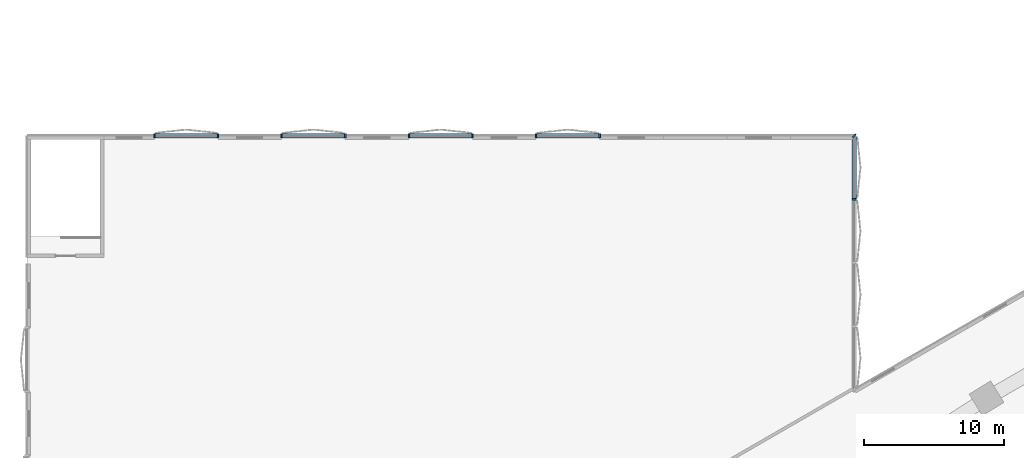
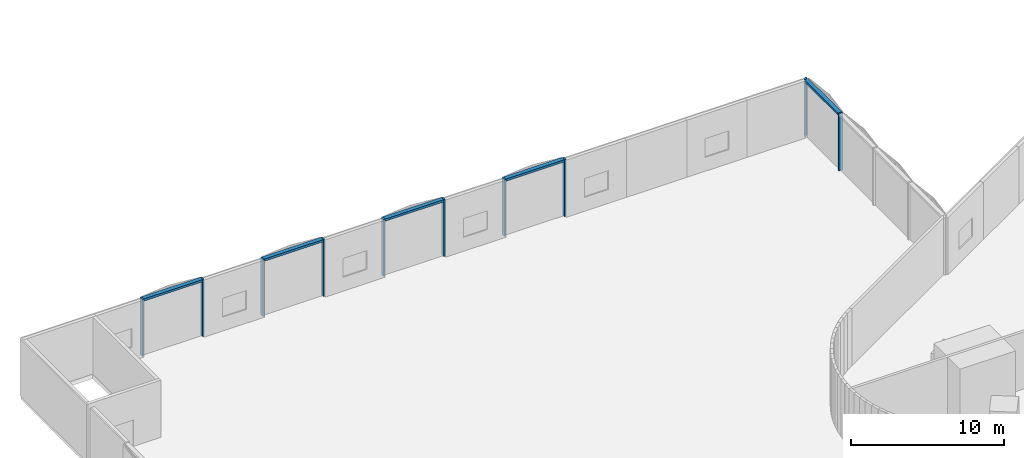
# One storey, part 8 of 24: 15 members, 2 elements without a shape of their own.
"""IFC4 building model written with IfcOpenShell, lengths in metres."""

from ifc_helpers import new_model, si_unit, direction, frame, origin, origin_2d, place, context, subcontext, project, spatial, rectangle, extrude, material, material_profile, profile_set, type_object, element, aggregate, save


model = new_model("IFC4")

# Units and contexts
model_context = context("Model", 3, precision=1e-05, world=origin(), true_north=direction((0.0, 1.0)))
body_context = subcontext(model_context, "Body", "Model", "MODEL_VIEW")
ifc_project = project(units=[si_unit("LENGTHUNIT", "METRE"), si_unit("AREAUNIT", "SQUARE_METRE"), si_unit("VOLUMEUNIT", "CUBIC_METRE"), si_unit("PLANEANGLEUNIT", "RADIAN"), si_unit("MASSUNIT", "GRAM", prefix="KILO")], contexts=[model_context])

# Site, building, storey
site_placement = place(None, origin())
site = spatial("IfcSite", under=ifc_project, at=site_placement, CompositionType="ELEMENT")
building_placement = place(site_placement, origin())
building = spatial("IfcBuilding", under=site, at=building_placement, Name="Tamra Quay Hotel Tower", CompositionType="ELEMENT")
storey_placement = place(building_placement, frame((0.0, 0.0, 19.5)))
storey = spatial("IfcBuildingStorey", under=building, at=storey_placement, Name="L03", CompositionType="ELEMENT", Elevation=19.5)

# Curtain wall, members
ifc_material = material(Name="Aluminium 6063 anodised dark grey", Category="aluminium")
curtain_wall_type = type_object("IfcCurtainWallType", Name="CW4 CURTAIN WALL", PredefinedType="NOTDEFINED", material=ifc_material)
curtain_wall_1_placement = place(storey_placement, origin())
curtain_wall_1 = element("IfcCurtainWall", 1, at=curtain_wall_1_placement, inside=storey, type_object=curtain_wall_type, Name="CW4 east face L03", PredefinedType="NOTDEFINED")
ifc_material_profile_1 = material_profile(ifc_material, rectangle(XDim=0.300048828125, YDim=0.1201171875, at=origin_2d()), Name="MULLION 120X300")
ifc_profile_set_1 = profile_set([ifc_material_profile_1], Name="Aluminium 6063 anodised dark grey")
member_type_1 = type_object("IfcMemberType", Name="MULLION CW4", PredefinedType="MULLION", material=ifc_profile_set_1)
member_1_placement = place(storey_placement, frame((-30.0, 27.464111328125, 0.0), z_axis=(0.0, 0.0, 1.0), x_axis=(1.0, 0.0, 0.0)))
member_1 = element("IfcMember", 2, at=member_1_placement, type_object=member_type_1, Name="CW4 mullion L03.E.21", PredefinedType="MULLION", context=body_context, shape_type="SweptSolid", body=[
    extrude(rectangle(XDim=0.300048828125, YDim=0.1201171875, at=origin_2d()), origin(), (0.0, 0.0, 1.0), 4.550048828125),
])
member_2_placement = place(storey_placement, frame((-30.0, 32.0, 0.0), z_axis=(0.0, 0.0, 1.0), x_axis=(0.707106781187, 0.707106781187, 0.0)))
member_2 = element("IfcMember", 3, at=member_2_placement, type_object=member_type_1, Name="CW4 mullion L03.E.22", PredefinedType="MULLION", context=body_context, shape_type="SweptSolid", body=[
    extrude(rectangle(XDim=0.300048828125, YDim=0.1201171875, at=origin_2d()), origin(), (0.0, 0.0, 1.0), 4.550048828125),
])

curtain_wall_2_placement = place(storey_placement, origin())
curtain_wall_2 = element("IfcCurtainWall", 4, at=curtain_wall_2_placement, inside=storey, type_object=curtain_wall_type, Name="CW4 north-west face L03", PredefinedType="NOTDEFINED")
member_3_placement = place(storey_placement, frame((-48.1845703125, 32.0, 0.0), z_axis=(0.0, 0.0, 1.0), x_axis=(0.0, 1.0, 0.0)))
member_3 = element("IfcMember", 5, at=member_3_placement, type_object=member_type_1, Name="CW4 mullion L03.NW.1", PredefinedType="MULLION", context=body_context, shape_type="SweptSolid", body=[
    extrude(rectangle(XDim=0.300048828125, YDim=0.1201171875, at=origin_2d()), origin(), (0.0, 0.0, 1.0), 4.550048828125),
])
member_4_placement = place(storey_placement, frame((-52.730712890625, 32.0, 0.0), z_axis=(0.0, 0.0, 1.0), x_axis=(0.0, 1.0, 0.0)))
member_4 = element("IfcMember", 6, at=member_4_placement, type_object=member_type_1, Name="CW4 mullion L03.NW.2", PredefinedType="MULLION", context=body_context, shape_type="SweptSolid", body=[
    extrude(rectangle(XDim=0.300048828125, YDim=0.1201171875, at=origin_2d()), origin(), (0.0, 0.0, 1.0), 4.550048828125),
])
member_5_placement = place(storey_placement, frame((-57.27685546875, 32.0, 0.0), z_axis=(0.0, 0.0, 1.0), x_axis=(0.0, 1.0, 0.0)))
member_5 = element("IfcMember", 7, at=member_5_placement, type_object=member_type_1, Name="CW4 mullion L03.NW.2", PredefinedType="MULLION", context=body_context, shape_type="SweptSolid", body=[
    extrude(rectangle(XDim=0.300048828125, YDim=0.1201171875, at=origin_2d()), origin(), (0.0, 0.0, 1.0), 4.550048828125),
])
member_6_placement = place(storey_placement, frame((-61.822998046875, 32.0, 0.0), z_axis=(0.0, 0.0, 1.0), x_axis=(0.0, 1.0, 0.0)))
member_6 = element("IfcMember", 8, at=member_6_placement, type_object=member_type_1, Name="CW4 mullion L03.NW.3", PredefinedType="MULLION", context=body_context, shape_type="SweptSolid", body=[
    extrude(rectangle(XDim=0.300048828125, YDim=0.1201171875, at=origin_2d()), origin(), (0.0, 0.0, 1.0), 4.550048828125),
])
member_7_placement = place(storey_placement, frame((-66.369140625, 32.0, 0.0), z_axis=(0.0, 0.0, 1.0), x_axis=(0.0, 1.0, 0.0)))
member_7 = element("IfcMember", 9, at=member_7_placement, type_object=member_type_1, Name="CW4 mullion L03.NW.3", PredefinedType="MULLION", context=body_context, shape_type="SweptSolid", body=[
    extrude(rectangle(XDim=0.300048828125, YDim=0.1201171875, at=origin_2d()), origin(), (0.0, 0.0, 1.0), 4.550048828125),
])
member_8_placement = place(storey_placement, frame((-70.915283203125, 32.0, 0.0), z_axis=(0.0, 0.0, 1.0), x_axis=(0.0, 1.0, 0.0)))
member_8 = element("IfcMember", 10, at=member_8_placement, type_object=member_type_1, Name="CW4 mullion L03.NW.4", PredefinedType="MULLION", context=body_context, shape_type="SweptSolid", body=[
    extrude(rectangle(XDim=0.300048828125, YDim=0.1201171875, at=origin_2d()), origin(), (0.0, 0.0, 1.0), 4.550048828125),
])
member_9_placement = place(storey_placement, frame((-75.46142578125, 32.0, 0.0), z_axis=(0.0, 0.0, 1.0), x_axis=(0.0, 1.0, 0.0)))
member_9 = element("IfcMember", 11, at=member_9_placement, type_object=member_type_1, Name="CW4 mullion L03.NW.4", PredefinedType="MULLION", context=body_context, shape_type="SweptSolid", body=[
    extrude(rectangle(XDim=0.300048828125, YDim=0.1201171875, at=origin_2d()), origin(), (0.0, 0.0, 1.0), 4.550048828125),
])
member_10_placement = place(storey_placement, frame((-80.0078125, 32.0, 0.0), z_axis=(0.0, 0.0, 1.0), x_axis=(0.0, 1.0, 0.0)))
member_10 = element("IfcMember", 12, at=member_10_placement, type_object=member_type_1, Name="CW4 mullion L03.NW.5", PredefinedType="MULLION", context=body_context, shape_type="SweptSolid", body=[
    extrude(rectangle(XDim=0.300048828125, YDim=0.1201171875, at=origin_2d()), origin(), (0.0, 0.0, 1.0), 4.550048828125),
])

# Member
ifc_material_profile_2 = material_profile(ifc_material, rectangle(XDim=0.300048828125, YDim=0.179931640625, at=origin_2d()), Name="TRANSOM 300X180")
ifc_profile_set_2 = profile_set([ifc_material_profile_2], Name="Aluminium 6063 anodised dark grey")
member_type_2 = type_object("IfcMemberType", Name="TRANSOM CW4", PredefinedType="USERDEFINED", material=ifc_profile_set_2)
member_11_placement = place(storey_placement, frame((-30.0, 27.524169921875, 4.4599609375), z_axis=(0.0, 1.0, 0.0), x_axis=(-1.0, 0.0, 0.0)))
member_11 = element("IfcMember", 13, at=member_11_placement, type_object=member_type_2, Name="CW4 transom L03.E.21", ObjectType="TRANSOM", PredefinedType="USERDEFINED", context=body_context, shape_type="SweptSolid", body=[
    extrude(rectangle(XDim=0.300048828125, YDim=0.179931640625, at=origin_2d()), origin(), (0.0, 0.0, 1.0), 4.415771484375),
])

aggregate(curtain_wall_1, [member_1, member_11, member_2])

member_12_placement = place(storey_placement, frame((-48.24462890625, 32.0, 4.4599609375), z_axis=(-1.0, 0.0, 0.0), x_axis=(0.0, -1.0, 0.0)))
member_12 = element("IfcMember", 14, at=member_12_placement, type_object=member_type_2, Name="CW4 transom L03.NW.1", ObjectType="TRANSOM", PredefinedType="USERDEFINED", context=body_context, shape_type="SweptSolid", body=[
    extrude(rectangle(XDim=0.300048828125, YDim=0.179931640625, at=origin_2d()), origin(), (0.0, 0.0, 1.0), 4.426025390625),
])

member_13_placement = place(storey_placement, frame((-57.3369140625, 32.0, 4.4599609375), z_axis=(-1.0, 0.0, 0.0), x_axis=(0.0, -1.0, 0.0)))
member_13 = element("IfcMember", 15, at=member_13_placement, type_object=member_type_2, Name="CW4 transom L03.NW.2", ObjectType="TRANSOM", PredefinedType="USERDEFINED", context=body_context, shape_type="SweptSolid", body=[
    extrude(rectangle(XDim=0.300048828125, YDim=0.179931640625, at=origin_2d()), origin(), (0.0, 0.0, 1.0), 4.42626953125),
])

member_14_placement = place(storey_placement, frame((-66.42919921875, 32.0, 4.4599609375), z_axis=(-1.0, 0.0, 0.0), x_axis=(0.0, -1.0, 0.0)))
member_14 = element("IfcMember", 16, at=member_14_placement, type_object=member_type_2, Name="CW4 transom L03.NW.3", ObjectType="TRANSOM", PredefinedType="USERDEFINED", context=body_context, shape_type="SweptSolid", body=[
    extrude(rectangle(XDim=0.300048828125, YDim=0.179931640625, at=origin_2d()), origin(), (0.0, 0.0, 1.0), 4.42626953125),
])

member_15_placement = place(storey_placement, frame((-75.521484375, 32.0, 4.4599609375), z_axis=(-1.0, 0.0, 0.0), x_axis=(0.0, -1.0, 0.0)))
member_15 = element("IfcMember", 17, at=member_15_placement, type_object=member_type_2, Name="CW4 transom L03.NW.4", ObjectType="TRANSOM", PredefinedType="USERDEFINED", context=body_context, shape_type="SweptSolid", body=[
    extrude(rectangle(XDim=0.300048828125, YDim=0.179931640625, at=origin_2d()), origin(), (0.0, 0.0, 1.0), 4.42626953125),
])

aggregate(curtain_wall_2, [member_3, member_12, member_4, member_5, member_13, member_6, member_7, member_14, member_8, member_9, member_15, member_10])

save(model, "model.ifc")
